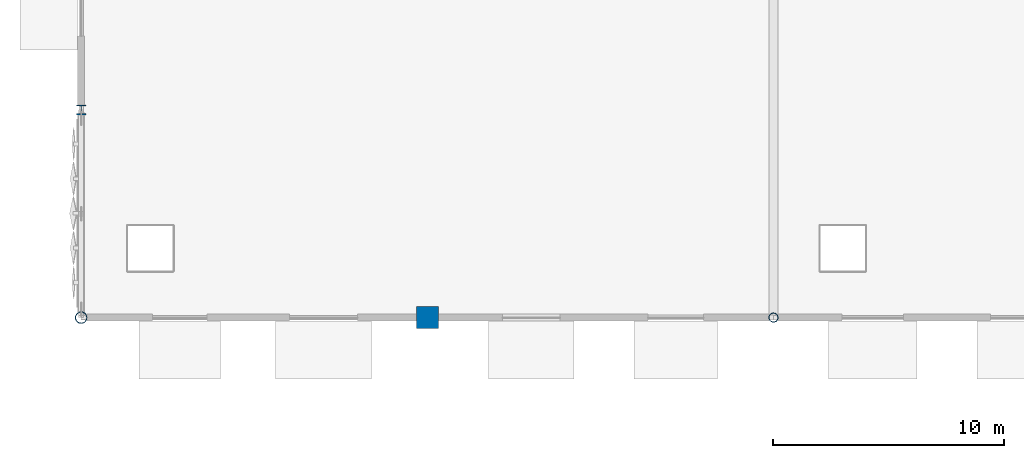
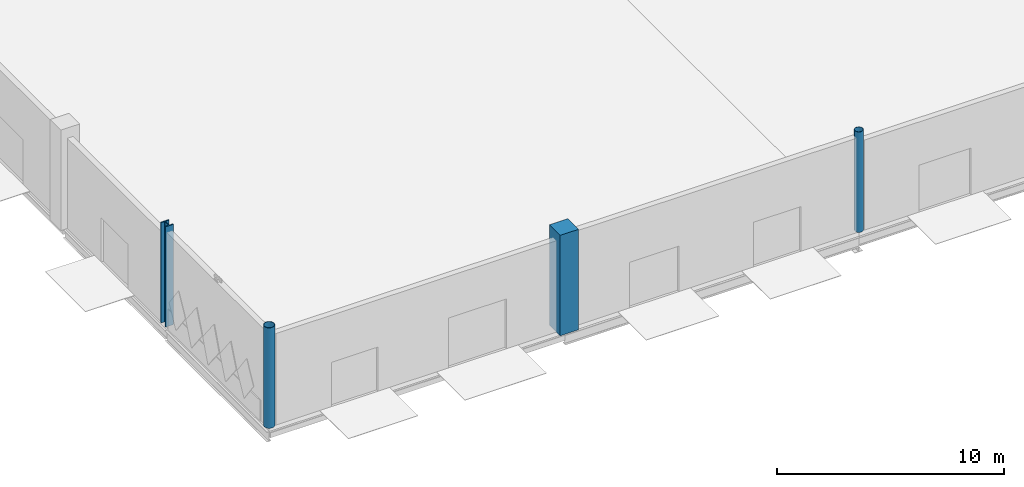
# One storey, part 1 of 94: 4 columns.
"""IFC4 building model written with IfcOpenShell, lengths in metres."""

from ifc_helpers import new_model, si_unit, direction, frame, origin, origin_2d, place, context, subcontext, project, spatial, rectangle, hollow_circle, i_section, extrude, material, material_profile, profile_set, type_object, element, save


model = new_model("IFC4")

# Units and contexts
model_context = context("Model", 3, precision=1e-05, world=origin(), true_north=direction((0.0, 1.0)))
body_context = subcontext(model_context, "Body", "Model", "MODEL_VIEW")
ifc_project = project(units=[si_unit("LENGTHUNIT", "METRE"), si_unit("AREAUNIT", "SQUARE_METRE"), si_unit("VOLUMEUNIT", "CUBIC_METRE"), si_unit("PLANEANGLEUNIT", "RADIAN"), si_unit("MASSUNIT", "GRAM", prefix="KILO")], contexts=[model_context])

# Site, building, storey
site_placement = place(None, origin())
site = spatial("IfcSite", under=ifc_project, at=site_placement, CompositionType="ELEMENT")
building_placement = place(site_placement, origin())
building = spatial("IfcBuilding", under=site, at=building_placement, Name="Qamarlyn Nura Convention Centre", CompositionType="ELEMENT")
storey_placement = place(building_placement, origin())
storey = spatial("IfcBuildingStorey", under=building, at=storey_placement, Name="L00", CompositionType="ELEMENT", Elevation=0.0)

# Columns
ifc_material_1 = material(Name="Pearl-white PVDF steel ASTM A500 Grade C", Category="steel")
ifc_material_profile_1 = material_profile(ifc_material_1, hollow_circle(Radius=0.25390625, WallThickness=0.02001953125, at=origin_2d()), Name="CHS508X20")
ifc_profile_set_1 = profile_set([ifc_material_profile_1], Name="Pearl-white PVDF steel ASTM A500 Grade C")
column_type_1 = type_object("IfcColumnType", Name="COL-HALL-1", PredefinedType="COLUMN", material=ifc_profile_set_1)
column_1_placement = place(storey_placement, frame((0.0, 18.0, 0.0), z_axis=(0.0, 0.0, 1.0), x_axis=(1.0, 0.0, 0.0)))
element("IfcColumn", 1, at=column_1_placement, inside=storey, type_object=column_type_1, Name="L00 column 1/C", PredefinedType="COLUMN", context=body_context, shape_type="SweptSolid", body=[
    extrude(hollow_circle(Radius=0.25390625, WallThickness=0.02001953125, at=origin_2d()), origin(), (0.0, 0.0, 1.0), 5.39990234375),
])
ifc_material_2 = material(Name="Concrete C50/60", Category="concrete")
ifc_material_profile_2 = material_profile(ifc_material_2, rectangle(XDim=0.949951171875, YDim=0.949951171875, at=origin_2d()), Name="RC 950x950")
ifc_profile_set_2 = profile_set([ifc_material_profile_2], Name="Concrete C50/60")
column_type_2 = type_object("IfcColumnType", Name="COL-HALL-2", PredefinedType="COLUMN", material=ifc_profile_set_2)
column_2_placement = place(storey_placement, frame((15.0, 18.0, 0.0), z_axis=(0.0, 0.0, 1.0), x_axis=(1.0, 0.0, 0.0)))
element("IfcColumn", 2, at=column_2_placement, inside=storey, type_object=column_type_2, Name="L00 column 2/C", PredefinedType="COLUMN", context=body_context, shape_type="SweptSolid", body=[
    extrude(rectangle(XDim=0.949951171875, YDim=0.949951171875, at=origin_2d()), origin(), (0.0, 0.0, 1.0), 5.39990234375),
])
ifc_material_3 = material(Name="Steel ASTM A992", Category="steel")
ifc_material_profile_3 = material_profile(ifc_material_3, i_section(OverallWidth=0.408935546875, OverallDepth=0.425048828125, WebThickness=0.030517578125, FlangeThickness=0.049072265625, FilletRadius=0.02001953125, at=origin_2d()), Name="W360X421")
ifc_profile_set_3 = profile_set([ifc_material_profile_3], Name="Steel ASTM A992")
column_type_3 = type_object("IfcColumnType", Name="COL-MEGA-1", PredefinedType="COLUMN", material=ifc_profile_set_3)
column_3_placement = place(storey_placement, frame((0.0, 27.0, 0.0), z_axis=(0.0, 0.0, 1.0), x_axis=(1.0, 0.0, 0.0)))
element("IfcColumn", 3, at=column_3_placement, inside=storey, type_object=column_type_3, Name="L00 column 1/D", PredefinedType="COLUMN", context=body_context, shape_type="SweptSolid", body=[
    extrude(i_section(OverallWidth=0.408935546875, OverallDepth=0.425048828125, WebThickness=0.030517578125, FlangeThickness=0.049072265625, FilletRadius=0.02001953125, at=origin_2d()), origin(), (0.0, 0.0, 1.0), 5.39990234375),
])
ifc_material_profile_4 = material_profile(ifc_material_1, hollow_circle(Radius=0.203125, WallThickness=0.01611328125, at=origin_2d()), Name="CHS406.4X16")
ifc_profile_set_4 = profile_set([ifc_material_profile_4], Name="Pearl-white PVDF steel ASTM A500 Grade C")
column_type_4 = type_object("IfcColumnType", Name="COL-TUBE-1", PredefinedType="COLUMN", material=ifc_profile_set_4)
column_4_placement = place(storey_placement, frame((30.0, 18.0, 0.0), z_axis=(0.0, 0.0, 1.0), x_axis=(1.0, 0.0, 0.0)))
element("IfcColumn", 4, at=column_4_placement, inside=storey, type_object=column_type_4, Name="L00 column 3/C", PredefinedType="COLUMN", context=body_context, shape_type="SweptSolid", body=[
    extrude(hollow_circle(Radius=0.203125, WallThickness=0.01611328125, at=origin_2d()), origin(), (0.0, 0.0, 1.0), 5.39990234375),
])

save(model, "model.ifc")
